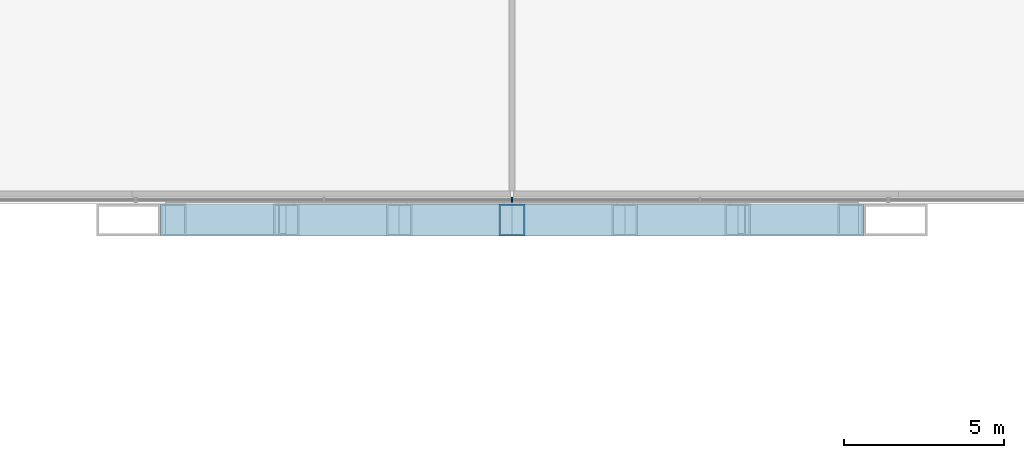
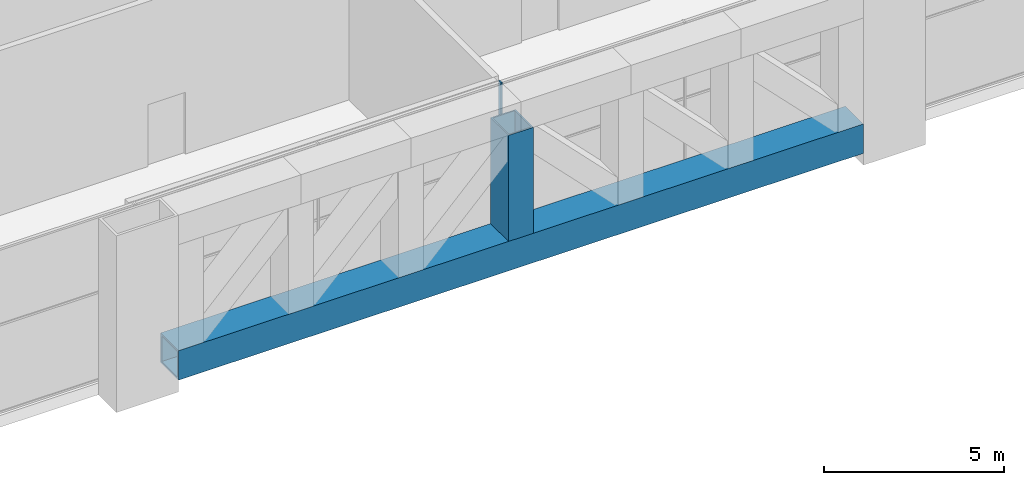
# One storey, part 3 of 27: 2 members, 1 beam, 1 element without a shape of its own.
"""IFC4 building model written with IfcOpenShell, lengths in metres."""

from ifc_helpers import new_model, si_unit, direction, frame, origin, origin_2d, place, context, subcontext, project, spatial, rectangle, hollow_rectangle, extrude, material, material_profile, profile_set, type_object, element, aggregate, save


model = new_model("IFC4")

# Units and contexts
model_context = context("Model", 3, precision=1e-05, world=origin(), true_north=direction((0.0, 1.0)))
body_context = subcontext(model_context, "Body", "Model", "MODEL_VIEW")
ifc_project = project(units=[si_unit("LENGTHUNIT", "METRE"), si_unit("AREAUNIT", "SQUARE_METRE"), si_unit("VOLUMEUNIT", "CUBIC_METRE"), si_unit("PLANEANGLEUNIT", "RADIAN"), si_unit("MASSUNIT", "GRAM", prefix="KILO")], contexts=[model_context])

# Site, building, storey
site_placement = place(None, origin())
site = spatial("IfcSite", under=ifc_project, at=site_placement, CompositionType="ELEMENT")
building_placement = place(site_placement, origin())
building = spatial("IfcBuilding", under=site, at=building_placement, Name="Kitamizu Gate Tower and Museum", CompositionType="ELEMENT")
storey_placement = place(building_placement, frame((0.0, 0.0, 24.0)))
storey = spatial("IfcBuildingStorey", under=building, at=storey_placement, Name="L04", CompositionType="ELEMENT", Elevation=24.0)

# Curtain wall, member
ifc_material_1 = material(Name="Bronze anodised aluminium frame, insulated panels", Category="aluminium")
curtain_wall_type = type_object("IfcCurtainWallType", Name="CURTAIN WALL TYPE F TRANSFER STOREY INSULATED", PredefinedType="NOTDEFINED", material=ifc_material_1)
curtain_wall_placement = place(storey_placement, origin())
curtain_wall = element("IfcCurtainWall", 1, at=curtain_wall_placement, inside=storey, type_object=curtain_wall_type, Name="Curtain wall CW-FI south L04 part 2", PredefinedType="NOTDEFINED")
ifc_material_2 = material(Name="Bronze anodised aluminium", Category="aluminium")
ifc_material_profile_1 = material_profile(ifc_material_2, rectangle(XDim=0.050048828125, YDim=0.14990234375, at=origin_2d()), Name="AL 50X150")
ifc_profile_set_1 = profile_set([ifc_material_profile_1], Name="Bronze anodised aluminium")
member_type_1 = type_object("IfcMemberType", Name="MULLION 50 X 150 TYPE F", PredefinedType="MULLION", material=ifc_profile_set_1)
member_1_placement = place(storey_placement, frame((36.0, 0.635009765625, 0.0), z_axis=(0.0, 0.0, 1.0), x_axis=(1.0, 0.0, 0.0)))
member_1 = element("IfcMember", 2, at=member_1_placement, type_object=member_type_1, Name="CW-FI mullion 3", PredefinedType="MULLION", context=body_context, shape_type="SweptSolid", body=[
    extrude(rectangle(XDim=0.050048828125, YDim=0.14990234375, at=origin_2d()), origin(), (0.0, 0.0, 1.0), 5.60009765625),
])
aggregate(curtain_wall, [member_1])

# Beam
ifc_material_3 = material(Name="Steel SM490A", Category="steel")
ifc_material_profile_2 = material_profile(ifc_material_3, hollow_rectangle(XDim=1.0, YDim=1.0, WallThickness=0.070068359375, at=origin_2d()), Name="BOX 1000x1000x70")
ifc_profile_set_2 = profile_set([ifc_material_profile_2], Name="Steel SM490A")
beam_type = type_object("IfcBeamType", Name="Transfer truss chord TTB1 BOX 1000x1000x70", PredefinedType="BEAM", material=ifc_profile_set_2)
beam_placement = place(storey_placement, frame((25.0, 0.0, 0.5), z_axis=(1.0, 0.0, 0.0), x_axis=(0.0, 1.0, 0.0)))
element("IfcBeam", 3, at=beam_placement, inside=storey, type_object=beam_type, Name="Transfer truss bottom chord y00", PredefinedType="BEAM", context=body_context, shape_type="SweptSolid", body=[
    extrude(hollow_rectangle(XDim=1.0, YDim=1.0, WallThickness=0.070068359375, at=origin_2d()), origin(), (0.0, 0.0, 1.0), 22.0),
])

# Member
ifc_material_4 = material(Name="Steel SM490A", Category="steel")
ifc_material_profile_3 = material_profile(ifc_material_4, hollow_rectangle(XDim=0.800048828125, YDim=1.0, WallThickness=0.044921875, at=origin_2d()), Name="BOX 800x1000x45")
ifc_profile_set_3 = profile_set([ifc_material_profile_3], Name="Steel SM490A")
member_type_2 = type_object("IfcMemberType", Name="Transfer truss post TTB3 BOX 800x1000x45", PredefinedType="POST", material=ifc_profile_set_3)
member_2_placement = place(storey_placement, frame((36.0, 0.0, 1.0), z_axis=(0.0, 0.0, 1.0), x_axis=(1.0, 0.0, 0.0)))
element("IfcMember", 4, at=member_2_placement, inside=storey, type_object=member_type_2, Name="Transfer truss post y00-4", PredefinedType="POST", context=body_context, shape_type="SweptSolid", body=[
    extrude(hollow_rectangle(XDim=0.800048828125, YDim=1.0, WallThickness=0.044921875, at=origin_2d()), origin(), (0.0, 0.0, 1.0), 3.60009765625),
])

save(model, "model.ifc")
